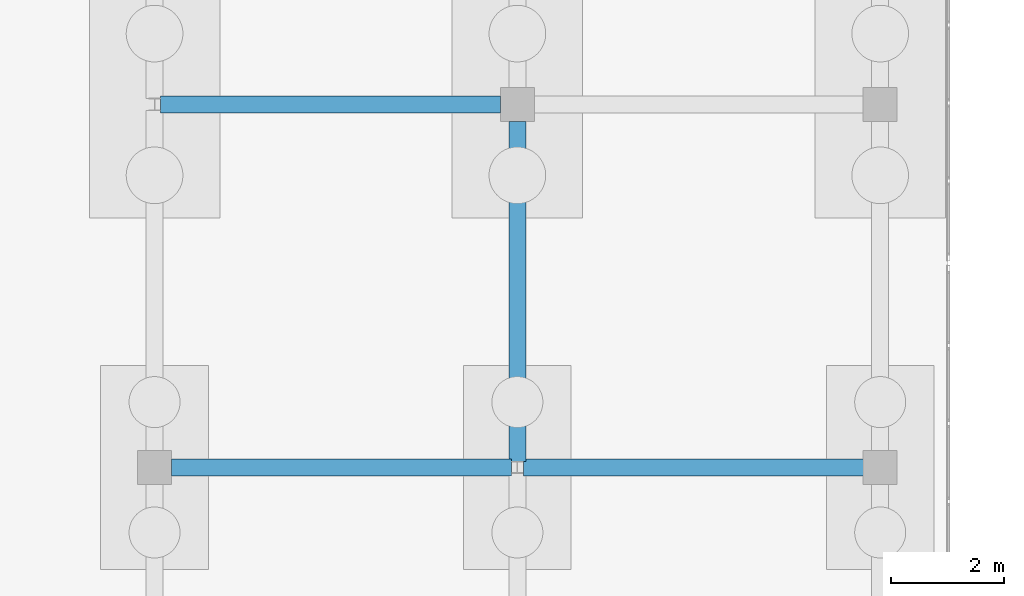
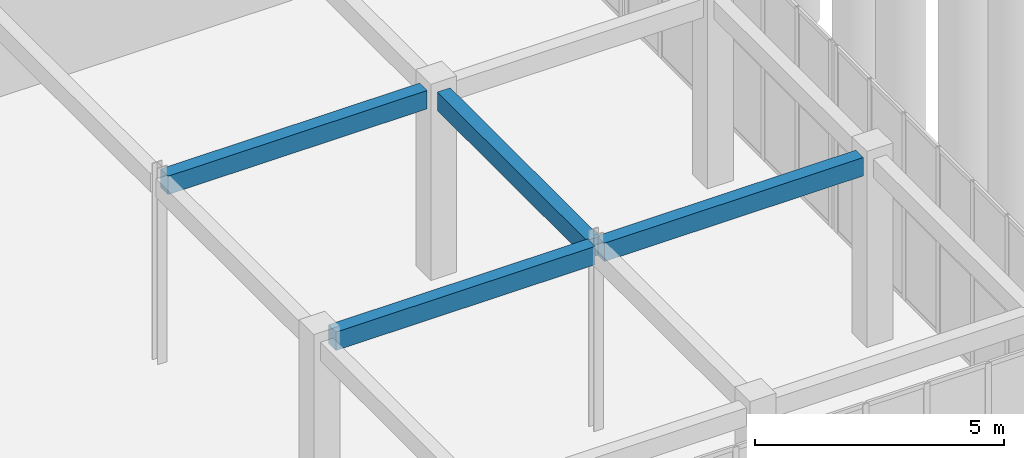
# One storey, part 73 of 192: 4 beams.
"""IFC4 building model written with IfcOpenShell, lengths in metres."""

from ifc_helpers import new_model, si_unit, direction, frame, origin, origin_2d, place, context, subcontext, project, spatial, rectangle, extrude, material, material_profile, profile_set, type_object, element, save


model = new_model("IFC4")

# Units and contexts
model_context = context("Model", 3, precision=1e-05, world=origin(), true_north=direction((0.0, 1.0)))
body_context = subcontext(model_context, "Body", "Model", "MODEL_VIEW")
ifc_project = project(units=[si_unit("LENGTHUNIT", "METRE"), si_unit("AREAUNIT", "SQUARE_METRE"), si_unit("VOLUMEUNIT", "CUBIC_METRE"), si_unit("PLANEANGLEUNIT", "RADIAN"), si_unit("MASSUNIT", "GRAM", prefix="KILO")], contexts=[model_context])

# Site, building, storey
site_placement = place(None, origin())
site = spatial("IfcSite", under=ifc_project, at=site_placement, CompositionType="ELEMENT")
building_placement = place(site_placement, origin())
building = spatial("IfcBuilding", under=site, at=building_placement, Name="Trelvath General Hospital", CompositionType="ELEMENT")
storey_placement = place(building_placement, origin())
storey = spatial("IfcBuildingStorey", under=building, at=storey_placement, Name="L00", CompositionType="ELEMENT", Elevation=0.0)

# Beams
ifc_material = material(Name="Concrete C35/45", Category="concrete")
ifc_material_profile = material_profile(ifc_material, rectangle(XDim=0.300048828125, YDim=0.449951171875, at=origin_2d()), Name="RCB300x450")
ifc_profile_set = profile_set([ifc_material_profile], Name="Concrete C35/45")
beam_type = type_object("IfcBeamType", Name="Beam RC300x450", PredefinedType="BEAM", material=ifc_profile_set)
beam_1_placement = place(storey_placement, frame((107.49609375, 38.39990234375, 4.3349609375), z_axis=(1.0, 0.0, 0.0), x_axis=(0.0, 1.0, 0.0)))
element("IfcBeam", 1, at=beam_1_placement, inside=storey, type_object=beam_type, Name="Cube Interior Ring Beam CUBE-E-T0 L00", PredefinedType="BEAM", context=body_context, shape_type="SweptSolid", body=[
    extrude(rectangle(XDim=0.300048828125, YDim=0.449951171875, at=origin_2d()), origin(), (0.0, 0.0, 1.0), 5.997802734375),
])
for number, where, z_axis, x_axis, name in (
    (2, (113.7060546875, 38.39990234375, 4.3349609375), (1.0, 0.0, 0.0), (0.0, 1.0, 0.0), "Cube Interior Ring Beam CUBE-E-T0 L00"),
    (3, (107.305908203125, 44.800048828125, 4.3349609375), (1.0, 0.0, 0.0), (0.0, 1.0, 0.0), "Cube Interior Ring Beam CUBE-E-T0 L00"),
):
    element("IfcBeam", number, at=place(storey_placement, frame(where, z_axis=z_axis, x_axis=x_axis)), inside=storey, type_object=beam_type, Name=name, PredefinedType="BEAM", context=body_context, shape_type="SweptSolid", body=[
        extrude(rectangle(XDim=0.300048828125, YDim=0.449951171875, at=origin_2d()), origin(), (0.0, 0.0, 1.0), 5.998046875),
    ])
beam_2_placement = place(storey_placement, frame((113.60009765625, 38.506103515625, 4.3349609375), z_axis=(0.0, 1.0, 0.0), x_axis=(-1.0, 0.0, 0.0)))
element("IfcBeam", 4, at=beam_2_placement, inside=storey, type_object=beam_type, Name="Cube Interior Ring Beam CUBE-E-T0 L00", PredefinedType="BEAM", context=body_context, shape_type="SweptSolid", body=[
    extrude(rectangle(XDim=0.300048828125, YDim=0.449951171875, at=origin_2d()), origin(), (0.0, 0.0, 1.0), 5.997802734375),
])

save(model, "model.ifc")
